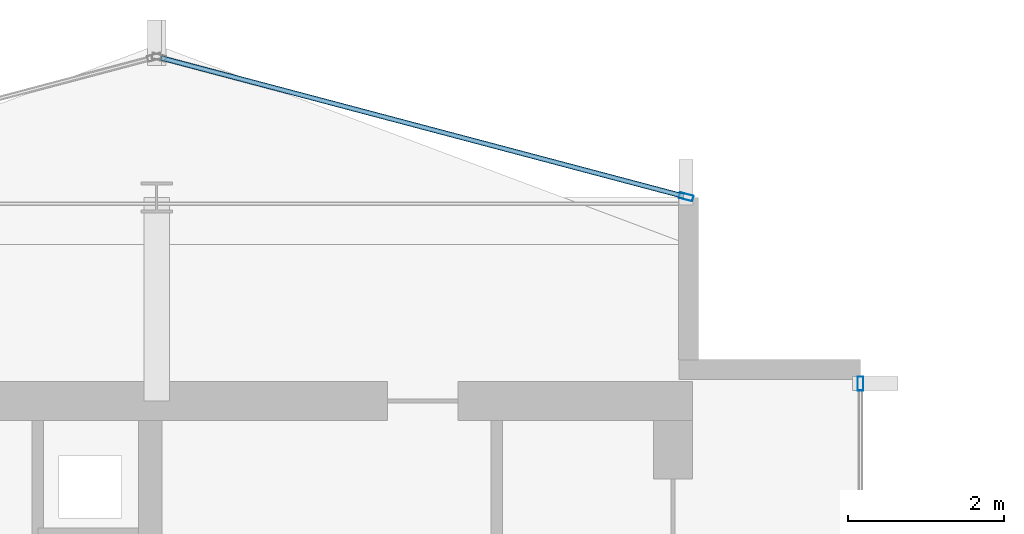
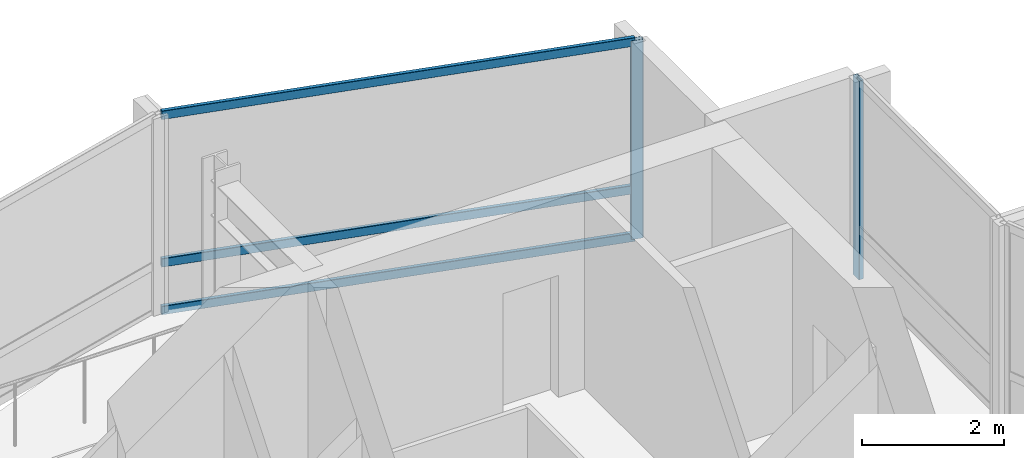
# One storey, part 18 of 27: 5 members, 2 elements without a shape of their own.
"""IFC4 building model written with IfcOpenShell, lengths in metres."""

from ifc_helpers import new_model, si_unit, direction, frame, origin, origin_2d, place, context, subcontext, project, spatial, hollow_rectangle, extrude, material, layer, layer_set, material_profile, profile_set, type_object, element, aggregate, save


model = new_model("IFC4")

# Units and contexts
model_context = context("Model", 3, precision=1e-05, world=origin(), true_north=direction((0.0, 1.0)))
body_context = subcontext(model_context, "Body", "Model", "MODEL_VIEW")
ifc_project = project(units=[si_unit("LENGTHUNIT", "METRE"), si_unit("AREAUNIT", "SQUARE_METRE"), si_unit("VOLUMEUNIT", "CUBIC_METRE"), si_unit("PLANEANGLEUNIT", "RADIAN"), si_unit("MASSUNIT", "GRAM", prefix="KILO")], contexts=[model_context])

# Site, building, storey
site_placement = place(None, origin())
site = spatial("IfcSite", under=ifc_project, at=site_placement, CompositionType="ELEMENT")
building_placement = place(site_placement, origin())
building = spatial("IfcBuilding", under=site, at=building_placement, Name="Solvaryn Broadcast Tower", CompositionType="ELEMENT")
storey_placement = place(building_placement, frame((0.0, 0.0, 221.0)))
storey = spatial("IfcBuildingStorey", under=building, at=storey_placement, Name="L55", CompositionType="ELEMENT", Elevation=221.0)

# Curtain wall, member
ifc_material_1 = material(Name="Aluminium and Terracotta Unitised Curtain Wall", Category="masonry")
ifc_layer = layer(ifc_material_1, 0.199951171875)
ifc_layer_set = layer_set([ifc_layer], Name="CW-SYS2-LOWMID")
curtain_wall_type = type_object("IfcCurtainWallType", Name="CW-SYS2-LOWMID", PredefinedType="NOTDEFINED", material=ifc_layer_set)
curtain_wall_1_placement = place(storey_placement, origin())
curtain_wall_1 = element("IfcCurtainWall", 1, at=curtain_wall_1_placement, inside=storey, type_object=curtain_wall_type, Name="L55 Curtain Wall IV", PredefinedType="NOTDEFINED")
ifc_material_2 = material(Name="Anodised Aluminium 6063-T6", Category="aluminium")
ifc_material_profile_1 = material_profile(ifc_material_2, hollow_rectangle(XDim=0.074951171875, YDim=0.179931640625, WallThickness=0.00390625, InnerFilletRadius=0.00390625, OuterFilletRadius=0.008056640625, at=origin_2d()))
ifc_profile_set_1 = profile_set([ifc_material_profile_1], Name="Anodised Aluminium 6063-T6")
member_type_1 = type_object("IfcMemberType", Name="CW-MUL-180", PredefinedType="MULLION", material=ifc_profile_set_1)
member_1_placement = place(storey_placement, frame((27.0, 42.6201171875, 0.0), z_axis=(0.0, 0.0, 1.0), x_axis=(1.0, 0.0, 0.0)))
member_1 = element("IfcMember", 2, at=member_1_placement, type_object=member_type_1, Name="CWS2 mullion 1", PredefinedType="MULLION", context=body_context, shape_type="SweptSolid", body=[
    extrude(hollow_rectangle(XDim=0.074951171875, YDim=0.179931640625, WallThickness=0.00390625, InnerFilletRadius=0.00390625, OuterFilletRadius=0.008056640625, at=origin_2d()), origin(), (0.0, 0.0, 1.0), 3.419921875),
])
aggregate(curtain_wall_1, [member_1])

# Curtain wall, members
curtain_wall_2_placement = place(storey_placement, origin())
curtain_wall_2 = element("IfcCurtainWall", 3, at=curtain_wall_2_placement, inside=storey, type_object=curtain_wall_type, Name="L55 Curtain Wall NT1", PredefinedType="NOTDEFINED")
member_2_placement = place(storey_placement, frame((24.77099609375, 45.007568359375, 0.0), z_axis=(0.0, 0.0, 1.0), x_axis=(-0.25589256031, -0.966705227863, 0.0)))
member_2 = element("IfcMember", 4, at=member_2_placement, type_object=member_type_1, Name="CWS2 mullion 1", PredefinedType="MULLION", context=body_context, shape_type="SweptSolid", body=[
    extrude(hollow_rectangle(XDim=0.074951171875, YDim=0.179931640625, WallThickness=0.00390625, InnerFilletRadius=0.00390625, OuterFilletRadius=0.008056640625, at=origin_2d()), origin(), (0.0, 0.0, 1.0), 3.419921875),
])
ifc_material_3 = material(Name="Anodised Aluminium 6063-T6", Category="aluminium")
ifc_material_profile_2 = material_profile(ifc_material_3, hollow_rectangle(XDim=0.06494140625, YDim=0.14990234375, WallThickness=0.00390625, InnerFilletRadius=0.00390625, OuterFilletRadius=0.008056640625, at=origin_2d()))
ifc_profile_set_2 = profile_set([ifc_material_profile_2], Name="Anodised Aluminium 6063-T6")
member_type_2 = type_object("IfcMemberType", Name="CW-TRN-150", PredefinedType="USERDEFINED", material=ifc_profile_set_2)
member_3_placement = place(storey_placement, frame((24.741943359375, 45.015380859375, 0.030029296875), z_axis=(-0.966703943301, 0.255897413051, 0.0), x_axis=(-0.255897413051, -0.966703943301, 0.0)))
member_3 = element("IfcMember", 5, at=member_3_placement, type_object=member_type_2, Name="CWS2 transom 1.1", ObjectType="TRANSOM", PredefinedType="USERDEFINED", context=body_context, shape_type="SweptSolid", body=[
    extrude(hollow_rectangle(XDim=0.06494140625, YDim=0.14990234375, WallThickness=0.00390625, InnerFilletRadius=0.00390625, OuterFilletRadius=0.008056640625, at=origin_2d()), origin(), (0.0, 0.0, 1.0), 6.9140625),
])
member_4_placement = place(storey_placement, frame((24.741943359375, 45.015380859375, 0.85009765625), z_axis=(-0.966703943301, 0.255897413051, 0.0), x_axis=(-0.255897413051, -0.966703943301, 0.0)))
member_4 = element("IfcMember", 6, at=member_4_placement, type_object=member_type_2, Name="CWS2 transom 1.2", ObjectType="TRANSOM", PredefinedType="USERDEFINED", context=body_context, shape_type="SweptSolid", body=[
    extrude(hollow_rectangle(XDim=0.06494140625, YDim=0.14990234375, WallThickness=0.00390625, InnerFilletRadius=0.00390625, OuterFilletRadius=0.008056640625, at=origin_2d()), origin(), (0.0, 0.0, 1.0), 6.9140625),
])
member_5_placement = place(storey_placement, frame((24.741943359375, 45.015380859375, 3.389892578125), z_axis=(-0.966703943301, 0.255897413051, 0.0), x_axis=(-0.255897413051, -0.966703943301, 0.0)))
member_5 = element("IfcMember", 7, at=member_5_placement, type_object=member_type_2, Name="CWS2 transom 1.3", ObjectType="TRANSOM", PredefinedType="USERDEFINED", context=body_context, shape_type="SweptSolid", body=[
    extrude(hollow_rectangle(XDim=0.06494140625, YDim=0.14990234375, WallThickness=0.00390625, InnerFilletRadius=0.00390625, OuterFilletRadius=0.008056640625, at=origin_2d()), origin(), (0.0, 0.0, 1.0), 6.9140625),
])
aggregate(curtain_wall_2, [member_2, member_3, member_4, member_5])

save(model, "model.ifc")
